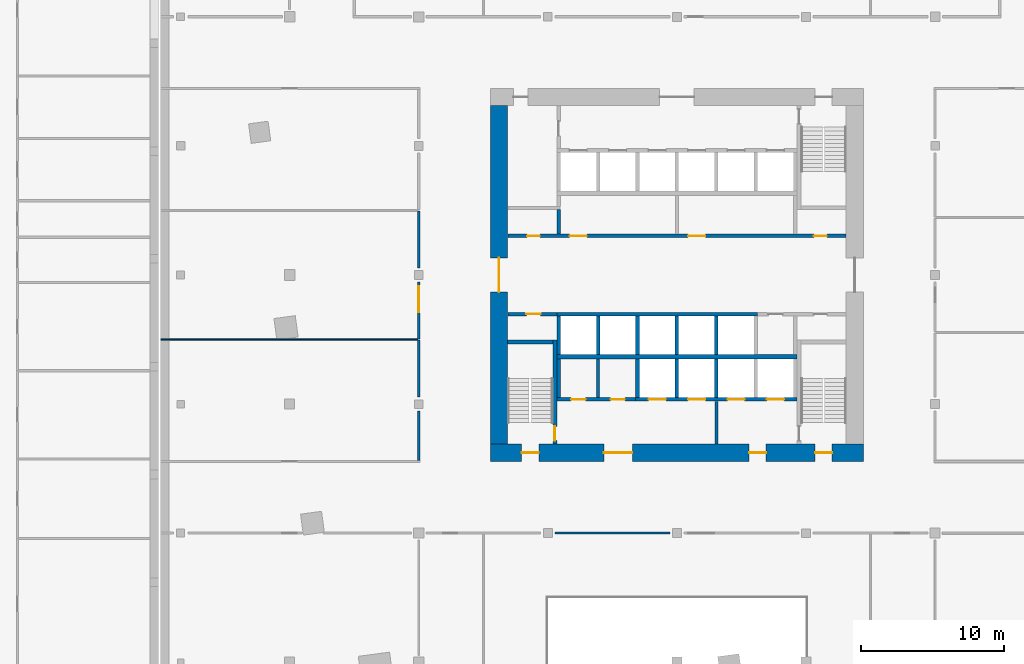
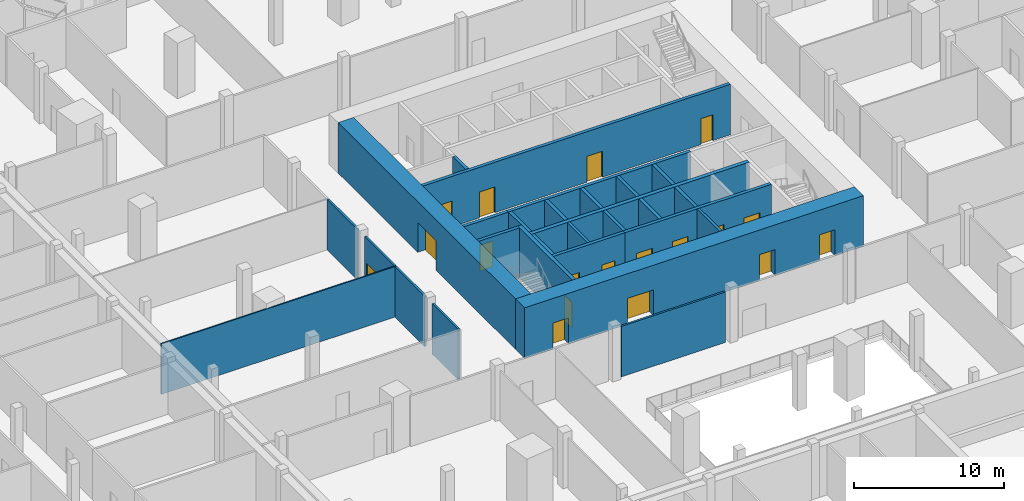
# One storey, part 7 of 20: 28 walls, 18 doors, 18 openings.
"""IFC4 building model written with IfcOpenShell, lengths in metres."""

from ifc_helpers import new_model, si_unit, direction, frame, frame_2d, origin, place, context, subcontext, project, spatial, rectangle, extrude, material, layer, layer_set, type_object, element, fill, save


model = new_model("IFC4")

# Units and contexts
model_context = context("Model", 3, precision=1e-05, world=origin(), true_north=direction((0.0, 1.0)))
body_context = subcontext(model_context, "Body", "Model", "MODEL_VIEW")
ifc_project = project(units=[si_unit("LENGTHUNIT", "METRE"), si_unit("AREAUNIT", "SQUARE_METRE"), si_unit("VOLUMEUNIT", "CUBIC_METRE"), si_unit("PLANEANGLEUNIT", "RADIAN"), si_unit("MASSUNIT", "GRAM", prefix="KILO")], contexts=[model_context])

# Site, building, storey
site_placement = place(None, origin())
site = spatial("IfcSite", under=ifc_project, at=site_placement, CompositionType="ELEMENT")
building_placement = place(site_placement, origin())
building = spatial("IfcBuilding", under=site, at=building_placement, Name="Dilmun Exchange Tower", CompositionType="ELEMENT")
storey_placement = place(building_placement, frame((0.0, 0.0, 9.0)))
storey = spatial("IfcBuildingStorey", under=building, at=storey_placement, Name="L02", CompositionType="ELEMENT", Elevation=9.0)

# Walls
ifc_material_1 = material(Name="Concrete C40/50", Category="concrete")
ifc_layer_1 = layer(ifc_material_1, 0.199951171875)
ifc_layer_set_1 = layer_set([ifc_layer_1], Name="Concrete C40/50")
wall_type_1 = type_object("IfcWallType", Name="Core partition wall 200", PredefinedType="PARTITIONING", material=ifc_layer_set_1)
wall_1_placement = place(storey_placement, frame((2.75, -11.794921875, 0.0), z_axis=(0.0, 0.0, 1.0), x_axis=(0.0, 1.0, 0.0)))
element("IfcWall", 1, at=wall_1_placement, inside=storey, type_object=wall_type_1, Name="L02 core partition wall 01", PredefinedType="PARTITIONING", context=body_context, shape_type="SweptSolid", body=[
    extrude(rectangle(XDim=2.989990234375, YDim=0.199951171875, at=frame_2d((1.4951171875, 0.0))), origin(), (0.0, 0.0, 1.0), 4.10009765625),
])
wall_2_placement = place(storey_placement, frame((-5.5, -8.544921875, 0.0), z_axis=(0.0, 0.0, 1.0), x_axis=(0.0, 1.0, 0.0)))
element("IfcWall", 2, at=wall_2_placement, inside=storey, type_object=wall_type_1, Name="L02 core partition wall 04", PredefinedType="PARTITIONING", context=body_context, shape_type="SweptSolid", body=[
    extrude(rectangle(XDim=2.68994140625, YDim=0.199951171875, at=frame_2d((1.344970703125, 0.0))), origin(), (0.0, 0.0, 1.0), 4.10009765625),
])

# Wall, openings, doors
ifc_layer_2 = layer(ifc_material_1, 0.25)
ifc_layer_set_2 = layer_set([ifc_layer_2], Name="Concrete C40/50")
wall_type_2 = type_object("IfcWallType", Name="Core partition wall 250", PredefinedType="PARTITIONING", material=ifc_layer_set_2)
wall_3_placement = place(storey_placement, frame((-8.3701171875, -8.675048828125, 0.0), z_axis=(0.0, 0.0, 1.0), x_axis=(1.0, 0.0, 0.0)))
wall_3 = element("IfcWall", 3, at=wall_3_placement, inside=storey, type_object=wall_type_2, Name="L02 core partition wall 02", PredefinedType="PARTITIONING", context=body_context, shape_type="SweptSolid", body=[
    extrude(rectangle(XDim=5.490234375, YDim=0.25, at=frame_2d((2.7451171875, 0.0))), origin(), (0.0, 0.0, 1.0), 4.10009765625),
])
opening_1_placement = place(wall_3_placement, frame((0.9951171875, 0.0, 0.0)))
opening_1 = element("IfcOpeningElement", 4, at=opening_1_placement, cuts=wall_3, Name="Opening CD4", PredefinedType="OPENING", context=body_context, shape_type="SweptSolid", body=[
    extrude(rectangle(XDim=1.0, YDim=2.10009765625, at=frame_2d((0.5, 1.050048828125))), frame((0.0, 0.135009765625, 0.0), z_axis=(0.0, -1.0, 0.0), x_axis=(1.0, 0.0, 0.0)), (0.0, 0.0, 1.0), 0.27001953125),
])
opening_2_placement = place(wall_3_placement, frame((3.7451171875, 0.0, 0.0)))
opening_2 = element("IfcOpeningElement", 5, at=opening_2_placement, cuts=wall_3, Name="Opening CD4", PredefinedType="OPENING", context=body_context, shape_type="SweptSolid", body=[
    extrude(rectangle(XDim=1.0, YDim=2.10009765625, at=frame_2d((0.5, 1.050048828125))), frame((0.0, 0.135009765625, 0.0), z_axis=(0.0, -1.0, 0.0), x_axis=(1.0, 0.0, 0.0)), (0.0, 0.0, 1.0), 0.27001953125),
])
ifc_material_2 = material(Name="Fire-rated steel door set", Category="steel")
door_type_1 = type_object("IfcDoorType", Name="Core room door 1000x2100", OperationType="SINGLE_SWING_LEFT", PredefinedType="DOOR", material=ifc_material_2)
door_1_placement = place(opening_1_placement, origin())
door_1 = element("IfcDoor", 6, at=door_1_placement, inside=storey, type_object=door_type_1, Name="L02 door Male WC", OperationType="SINGLE_SWING_LEFT", OverallHeight=2.10009765625, OverallWidth=1.0, PredefinedType="DOOR", context=body_context, shape_type="SweptSolid", body=[
    extrude(rectangle(XDim=1.0, YDim=2.10009765625, at=frame_2d((0.5, 1.050048828125))), frame((0.0, 0.02490234375, 0.0), z_axis=(0.0, -1.0, 0.0), x_axis=(1.0, 0.0, 0.0)), (0.0, 0.0, 1.0), 0.050048828125),
])
fill(opening_1, door_1)
door_2_placement = place(opening_2_placement, origin())
door_2 = element("IfcDoor", 7, at=door_2_placement, inside=storey, type_object=door_type_1, Name="L02 door Female WC", OperationType="SINGLE_SWING_LEFT", OverallHeight=2.10009765625, OverallWidth=1.0, PredefinedType="DOOR", context=body_context, shape_type="SweptSolid", body=[
    extrude(rectangle(XDim=1.0, YDim=2.10009765625, at=frame_2d((0.5, 1.050048828125))), frame((0.0, 0.02490234375, 0.0), z_axis=(0.0, -1.0, 0.0), x_axis=(1.0, 0.0, 0.0)), (0.0, 0.0, 1.0), 0.050048828125),
])
fill(opening_2, door_2)

# Wall
wall_4_placement = place(storey_placement, frame((-8.25, -8.544921875, 0.0), z_axis=(0.0, 0.0, 1.0), x_axis=(0.0, 1.0, 0.0)))
element("IfcWall", 8, at=wall_4_placement, inside=storey, type_object=wall_type_2, Name="L02 core partition wall 03", PredefinedType="PARTITIONING", context=body_context, shape_type="SweptSolid", body=[
    extrude(rectangle(XDim=2.68994140625, YDim=0.25, at=frame_2d((1.344970703125, 0.0))), origin(), (0.0, 0.0, 1.0), 4.10009765625),
])

# Wall, opening, door
wall_5_placement = place(storey_placement, frame((-11.794921875, -2.72509765625, 0.0), z_axis=(0.0, 0.0, 1.0), x_axis=(1.0, 0.0, 0.0)))
wall_5 = element("IfcWall", 9, at=wall_5_placement, inside=storey, type_object=wall_type_2, Name="L02 core partition wall 06", PredefinedType="PARTITIONING", context=body_context, shape_type="SweptSolid", body=[
    extrude(rectangle(XDim=3.4150390625, YDim=0.25, at=frame_2d((1.70751953125, 0.0))), origin(), (0.0, 0.0, 1.0), 4.10009765625),
])
opening_3_placement = place(wall_5_placement, frame((1.294921875, 0.0, 0.0)))
opening_3 = element("IfcOpeningElement", 10, at=opening_3_placement, cuts=wall_5, Name="Opening CD4", PredefinedType="OPENING", context=body_context, shape_type="SweptSolid", body=[
    extrude(rectangle(XDim=1.0, YDim=2.10009765625, at=frame_2d((0.5, 1.050048828125))), frame((0.0, 0.135009765625, 0.0), z_axis=(0.0, -1.0, 0.0), x_axis=(1.0, 0.0, 0.0)), (0.0, 0.0, 1.0), 0.27001953125),
])
door_3_placement = place(opening_3_placement, origin())
door_3 = element("IfcDoor", 11, at=door_3_placement, inside=storey, type_object=door_type_1, Name="L02 door Accessible WC", OperationType="SINGLE_SWING_LEFT", OverallHeight=2.10009765625, OverallWidth=1.0, PredefinedType="DOOR", context=body_context, shape_type="SweptSolid", body=[
    extrude(rectangle(XDim=1.0, YDim=2.10009765625, at=frame_2d((0.5, 1.050048828125))), frame((0.0, 0.02490234375, 0.0), z_axis=(0.0, -1.0, 0.0), x_axis=(1.0, 0.0, 0.0)), (0.0, 0.0, 1.0), 0.050048828125),
])
fill(opening_3, door_3)

# Wall, openings, doors
wall_6_placement = place(storey_placement, frame((-11.794921875, 2.72509765625, 0.0), z_axis=(0.0, 0.0, 1.0), x_axis=(1.0, 0.0, 0.0)))
wall_6 = element("IfcWall", 12, at=wall_6_placement, inside=storey, type_object=wall_type_2, Name="L02 core partition wall 08", PredefinedType="PARTITIONING", context=body_context, shape_type="SweptSolid", body=[
    extrude(rectangle(XDim=23.58984375, YDim=0.25, at=frame_2d((11.794921875, 0.0))), origin(), (0.0, 0.0, 1.0), 4.10009765625),
])
opening_4_placement = place(wall_6_placement, frame((21.344970703125, 0.0, 0.0)))
opening_4 = element("IfcOpeningElement", 13, at=opening_4_placement, cuts=wall_6, Name="Opening CD6", PredefinedType="OPENING", context=body_context, shape_type="SweptSolid", body=[
    extrude(rectangle(XDim=0.89990234375, YDim=2.10009765625, at=frame_2d((0.449951171875, 1.050048828125))), frame((0.0, 0.135009765625, 0.0), z_axis=(0.0, -1.0, 0.0), x_axis=(1.0, 0.0, 0.0)), (0.0, 0.0, 1.0), 0.27001953125),
])
opening_5_placement = place(wall_6_placement, frame((1.344970703125, 0.0, 0.0)))
opening_5 = element("IfcOpeningElement", 14, at=opening_5_placement, cuts=wall_6, Name="Opening CD6", PredefinedType="OPENING", context=body_context, shape_type="SweptSolid", body=[
    extrude(rectangle(XDim=0.89990234375, YDim=2.10009765625, at=frame_2d((0.449951171875, 1.050048828125))), frame((0.0, 0.135009765625, 0.0), z_axis=(0.0, -1.0, 0.0), x_axis=(1.0, 0.0, 0.0)), (0.0, 0.0, 1.0), 0.27001953125),
])
opening_6_placement = place(wall_6_placement, frame((4.320068359375, 0.0, 0.0)))
opening_6 = element("IfcOpeningElement", 15, at=opening_6_placement, cuts=wall_6, Name="Opening CD3", PredefinedType="OPENING", context=body_context, shape_type="SweptSolid", body=[
    extrude(rectangle(XDim=1.199951171875, YDim=2.10009765625, at=frame_2d((0.60009765625, 1.050048828125))), frame((0.0, 0.135009765625, 0.0), z_axis=(0.0, -1.0, 0.0), x_axis=(1.0, 0.0, 0.0)), (0.0, 0.0, 1.0), 0.27001953125),
])
opening_7_placement = place(wall_6_placement, frame((12.570068359375, 0.0, 0.0)))
opening_7 = element("IfcOpeningElement", 16, at=opening_7_placement, cuts=wall_6, Name="Opening CD3", PredefinedType="OPENING", context=body_context, shape_type="SweptSolid", body=[
    extrude(rectangle(XDim=1.199951171875, YDim=2.10009765625, at=frame_2d((0.60009765625, 1.050048828125))), frame((0.0, 0.135009765625, 0.0), z_axis=(0.0, -1.0, 0.0), x_axis=(1.0, 0.0, 0.0)), (0.0, 0.0, 1.0), 0.27001953125),
])
door_type_2 = type_object("IfcDoorType", Name="Core room door 900x2100", OperationType="SINGLE_SWING_LEFT", PredefinedType="DOOR", material=ifc_material_2)
door_4_placement = place(opening_4_placement, origin())
door_4 = element("IfcDoor", 17, at=door_4_placement, inside=storey, type_object=door_type_2, Name="L02 door Electrical riser", OperationType="SINGLE_SWING_LEFT", OverallHeight=2.10009765625, OverallWidth=0.89990234375, PredefinedType="DOOR", context=body_context, shape_type="SweptSolid", body=[
    extrude(rectangle(XDim=0.89990234375, YDim=2.10009765625, at=frame_2d((0.449951171875, 1.050048828125))), frame((0.0, 0.02490234375, 0.0), z_axis=(0.0, -1.0, 0.0), x_axis=(1.0, 0.0, 0.0)), (0.0, 0.0, 1.0), 0.050048828125),
])
fill(opening_4, door_4)
door_5_placement = place(opening_5_placement, origin())
door_5 = element("IfcDoor", 18, at=door_5_placement, inside=storey, type_object=door_type_2, Name="L02 door Plumbing riser", OperationType="SINGLE_SWING_LEFT", OverallHeight=2.10009765625, OverallWidth=0.89990234375, PredefinedType="DOOR", context=body_context, shape_type="SweptSolid", body=[
    extrude(rectangle(XDim=0.89990234375, YDim=2.10009765625, at=frame_2d((0.449951171875, 1.050048828125))), frame((0.0, 0.02490234375, 0.0), z_axis=(0.0, -1.0, 0.0), x_axis=(1.0, 0.0, 0.0)), (0.0, 0.0, 1.0), 0.050048828125),
])
fill(opening_5, door_5)
door_type_3 = type_object("IfcDoorType", Name="Stair exit door 1200x2100", OperationType="SINGLE_SWING_LEFT", PredefinedType="DOOR", material=ifc_material_2)
door_6_placement = place(opening_6_placement, origin())
door_6 = element("IfcDoor", 19, at=door_6_placement, inside=storey, type_object=door_type_3, Name="L02 door Quiet working room", OperationType="SINGLE_SWING_LEFT", OverallHeight=2.10009765625, OverallWidth=1.199951171875, PredefinedType="DOOR", context=body_context, shape_type="SweptSolid", body=[
    extrude(rectangle(XDim=1.199951171875, YDim=2.10009765625, at=frame_2d((0.60009765625, 1.050048828125))), frame((0.0, 0.02490234375, 0.0), z_axis=(0.0, -1.0, 0.0), x_axis=(1.0, 0.0, 0.0)), (0.0, 0.0, 1.0), 0.050048828125),
])
fill(opening_6, door_6)
door_7_placement = place(opening_7_placement, origin())
door_7 = element("IfcDoor", 20, at=door_7_placement, inside=storey, type_object=door_type_3, Name="L02 door Building management office", OperationType="SINGLE_SWING_LEFT", OverallHeight=2.10009765625, OverallWidth=1.199951171875, PredefinedType="DOOR", context=body_context, shape_type="SweptSolid", body=[
    extrude(rectangle(XDim=1.199951171875, YDim=2.10009765625, at=frame_2d((0.60009765625, 1.050048828125))), frame((0.0, 0.02490234375, 0.0), z_axis=(0.0, -1.0, 0.0), x_axis=(1.0, 0.0, 0.0)), (0.0, 0.0, 1.0), 0.050048828125),
])
fill(opening_7, door_7)

# Wall
wall_7_placement = place(storey_placement, frame((-8.25, 2.85498046875, 0.0), z_axis=(0.0, 0.0, 1.0), x_axis=(0.0, 1.0, 0.0)))
element("IfcWall", 21, at=wall_7_placement, inside=storey, type_object=wall_type_2, Name="L02 core partition wall 09", PredefinedType="PARTITIONING", context=body_context, shape_type="SweptSolid", body=[
    extrude(rectangle(XDim=1.715087890625, YDim=0.25, at=frame_2d((0.857421875, 0.0))), origin(), (0.0, 0.0, 1.0), 4.10009765625),
])

# Wall, openings, doors
ifc_material_3 = material(Name="Concrete C80/95", Category="concrete")
ifc_layer_3 = layer(ifc_material_3, 1.199951171875)
ifc_layer_set_3 = layer_set([ifc_layer_3], Name="Concrete C80/95")
wall_type_3 = type_object("IfcWallType", Name="Core shear wall 1200 Concrete C80/95", PredefinedType="SHEAR", material=ifc_layer_set_3)
wall_8_placement = place(storey_placement, frame((-13.0, -12.39990234375, 0.0), z_axis=(0.0, 0.0, 1.0), x_axis=(1.0, 0.0, 0.0)))
wall_8 = element("IfcWall", 22, at=wall_8_placement, inside=storey, type_object=wall_type_3, Name="L02 core shear wall S", PredefinedType="SHEAR", context=body_context, shape_type="SweptSolid", body=[
    extrude(rectangle(XDim=26.0, YDim=1.199951171875, at=frame_2d((13.0, 0.0))), origin(), (0.0, 0.0, 1.0), 4.10009765625),
])
opening_8_placement = place(wall_8_placement, frame((7.89990234375, 0.0, 0.0)))
opening_8 = element("IfcOpeningElement", 23, at=opening_8_placement, cuts=wall_8, Name="Opening CD2", PredefinedType="OPENING", context=body_context, shape_type="SweptSolid", body=[
    extrude(rectangle(XDim=2.0, YDim=2.10009765625, at=frame_2d((1.0, 1.050048828125))), frame((0.0, 0.60986328125, 0.0), z_axis=(0.0, -1.0, 0.0), x_axis=(1.0, 0.0, 0.0)), (0.0, 0.0, 1.0), 1.219970703125),
])
opening_9_placement = place(wall_8_placement, frame((18.02490234375, 0.0, 0.0)))
opening_9 = element("IfcOpeningElement", 24, at=opening_9_placement, cuts=wall_8, Name="Opening CD3", PredefinedType="OPENING", context=body_context, shape_type="SweptSolid", body=[
    extrude(rectangle(XDim=1.199951171875, YDim=2.10009765625, at=frame_2d((0.60009765625, 1.050048828125))), frame((0.0, 0.60986328125, 0.0), z_axis=(0.0, -1.0, 0.0), x_axis=(1.0, 0.0, 0.0)), (0.0, 0.0, 1.0), 1.219970703125),
])
opening_10_placement = place(wall_8_placement, frame((2.175048828125, 0.0, 0.0)))
opening_10 = element("IfcOpeningElement", 25, at=opening_10_placement, cuts=wall_8, Name="Opening CD3", PredefinedType="OPENING", context=body_context, shape_type="SweptSolid", body=[
    extrude(rectangle(XDim=1.199951171875, YDim=2.10009765625, at=frame_2d((0.60009765625, 1.050048828125))), frame((0.0, 0.60986328125, 0.0), z_axis=(0.0, -1.0, 0.0), x_axis=(1.0, 0.0, 0.0)), (0.0, 0.0, 1.0), 1.219970703125),
])
opening_11_placement = place(wall_8_placement, frame((22.625, 0.0, 0.0)))
opening_11 = element("IfcOpeningElement", 26, at=opening_11_placement, cuts=wall_8, Name="Opening CD3", PredefinedType="OPENING", context=body_context, shape_type="SweptSolid", body=[
    extrude(rectangle(XDim=1.199951171875, YDim=2.10009765625, at=frame_2d((0.60009765625, 1.050048828125))), frame((0.0, 0.60986328125, 0.0), z_axis=(0.0, -1.0, 0.0), x_axis=(1.0, 0.0, 0.0)), (0.0, 0.0, 1.0), 1.219970703125),
])
door_type_4 = type_object("IfcDoorType", Name="Core service door 2000x2100", OperationType="DOUBLE_DOOR_DOUBLE_SWING", PredefinedType="DOOR", material=ifc_material_2)
door_8_placement = place(opening_8_placement, origin())
door_8 = element("IfcDoor", 27, at=door_8_placement, inside=storey, type_object=door_type_4, Name="L02 door South service lobby", OperationType="SINGLE_SWING_LEFT", OverallHeight=2.10009765625, OverallWidth=2.0, PredefinedType="DOOR", context=body_context, shape_type="SweptSolid", body=[
    extrude(rectangle(XDim=2.0, YDim=2.10009765625, at=frame_2d((1.0, 1.050048828125))), frame((0.0, 0.02490234375, 0.0), z_axis=(0.0, -1.0, 0.0), x_axis=(1.0, 0.0, 0.0)), (0.0, 0.0, 1.0), 0.050048828125),
])
fill(opening_8, door_8)
door_9_placement = place(opening_9_placement, origin())
door_9 = element("IfcDoor", 28, at=door_9_placement, inside=storey, type_object=door_type_3, Name="L02 door Fire-fighting lobby", OperationType="SINGLE_SWING_LEFT", OverallHeight=2.10009765625, OverallWidth=1.199951171875, PredefinedType="DOOR", context=body_context, shape_type="SweptSolid", body=[
    extrude(rectangle(XDim=1.199951171875, YDim=2.10009765625, at=frame_2d((0.60009765625, 1.050048828125))), frame((0.0, 0.02490234375, 0.0), z_axis=(0.0, -1.0, 0.0), x_axis=(1.0, 0.0, 0.0)), (0.0, 0.0, 1.0), 0.050048828125),
])
fill(opening_9, door_9)
door_10_placement = place(opening_10_placement, origin())
door_10 = element("IfcDoor", 29, at=door_10_placement, inside=storey, type_object=door_type_3, Name="L02 door Stair ST2", OperationType="SINGLE_SWING_LEFT", OverallHeight=2.10009765625, OverallWidth=1.199951171875, PredefinedType="DOOR", context=body_context, shape_type="SweptSolid", body=[
    extrude(rectangle(XDim=1.199951171875, YDim=2.10009765625, at=frame_2d((0.60009765625, 1.050048828125))), frame((0.0, 0.02490234375, 0.0), z_axis=(0.0, -1.0, 0.0), x_axis=(1.0, 0.0, 0.0)), (0.0, 0.0, 1.0), 0.050048828125),
])
fill(opening_10, door_10)
door_11_placement = place(opening_11_placement, origin())
door_11 = element("IfcDoor", 30, at=door_11_placement, inside=storey, type_object=door_type_3, Name="L02 door Stair ST3", OperationType="SINGLE_SWING_LEFT", OverallHeight=2.10009765625, OverallWidth=1.199951171875, PredefinedType="DOOR", context=body_context, shape_type="SweptSolid", body=[
    extrude(rectangle(XDim=1.199951171875, YDim=2.10009765625, at=frame_2d((0.60009765625, 1.050048828125))), frame((0.0, 0.02490234375, 0.0), z_axis=(0.0, -1.0, 0.0), x_axis=(1.0, 0.0, 0.0)), (0.0, 0.0, 1.0), 0.050048828125),
])
fill(opening_11, door_11)

# Wall, opening, door
wall_9_placement = place(storey_placement, frame((-12.39990234375, -11.800048828125, 0.0), z_axis=(0.0, 0.0, 1.0), x_axis=(0.0, 1.0, 0.0)))
wall_9 = element("IfcWall", 31, at=wall_9_placement, inside=storey, type_object=wall_type_3, Name="L02 core shear wall W", PredefinedType="SHEAR", context=body_context, shape_type="SweptSolid", body=[
    extrude(rectangle(XDim=23.60009765625, YDim=1.199951171875, at=frame_2d((11.800048828125, 0.0))), origin(), (0.0, 0.0, 1.0), 4.10009765625),
])
opening_12_placement = place(wall_9_placement, frame((10.60009765625, 0.0, 0.0)))
opening_12 = element("IfcOpeningElement", 32, at=opening_12_placement, cuts=wall_9, Name="Opening CD1", PredefinedType="OPENING", context=body_context, shape_type="SweptSolid", body=[
    extrude(rectangle(XDim=2.39990234375, YDim=2.39990234375, at=frame_2d((1.199951171875, 1.199951171875))), frame((0.0, 0.60986328125, 0.0), z_axis=(0.0, -1.0, 0.0), x_axis=(1.0, 0.0, 0.0)), (0.0, 0.0, 1.0), 1.219970703125),
])
door_type_5 = type_object("IfcDoorType", Name="Core lobby door 2400x2400", OperationType="DOUBLE_DOOR_DOUBLE_SWING", PredefinedType="DOOR", material=ifc_material_2)
door_12_placement = place(opening_12_placement, origin())
door_12 = element("IfcDoor", 33, at=door_12_placement, inside=storey, type_object=door_type_5, Name="L02 door Central lift lobby", OperationType="SINGLE_SWING_LEFT", OverallHeight=2.39990234375, OverallWidth=2.39990234375, PredefinedType="DOOR", context=body_context, shape_type="SweptSolid", body=[
    extrude(rectangle(XDim=2.39990234375, YDim=2.39990234375, at=frame_2d((1.199951171875, 1.199951171875))), frame((0.0, 0.02490234375, 0.0), z_axis=(0.0, -1.0, 0.0), x_axis=(1.0, 0.0, 0.0)), (0.0, 0.0, 1.0), 0.050048828125),
])
fill(opening_12, door_12)

# Walls
ifc_material_4 = material(Name="Fire partition EI 60 150 gypsum")
ifc_layer_4 = layer(ifc_material_4, 0.14990234375)
ifc_layer_set_4 = layer_set([ifc_layer_4], Name="Fire partition EI 60 150 gypsum")
wall_type_4 = type_object("IfcWallType", Name="Fire partition EI 60 150 gypsum", PredefinedType="PARTITIONING", material=ifc_layer_set_4)
wall_10_placement = place(storey_placement, frame((-8.5, -18.0, 0.0), z_axis=(0.0, 0.0, 1.0), x_axis=(1.0, 0.0, 0.0)))
element("IfcWall", 34, at=wall_10_placement, inside=storey, type_object=wall_type_4, Name="L02 partition", PredefinedType="PARTITIONING", context=body_context, shape_type="SweptSolid", body=[
    extrude(rectangle(XDim=8.0, YDim=0.14990234375, at=frame_2d((4.0, 0.0))), origin(), (0.0, 0.0, 1.0), 4.10009765625),
])
wall_11_placement = place(storey_placement, frame((-18.0, -12.925048828125, 0.0), z_axis=(0.0, 0.0, 1.0), x_axis=(0.0, 1.0, 0.0)))
element("IfcWall", 35, at=wall_11_placement, inside=storey, type_object=wall_type_4, Name="L02 partition", PredefinedType="PARTITIONING", context=body_context, shape_type="SweptSolid", body=[
    extrude(rectangle(XDim=3.425048828125, YDim=0.14990234375, at=frame_2d((1.71240234375, 0.0))), origin(), (0.0, 0.0, 1.0), 4.10009765625),
])
wall_12_placement = place(storey_placement, frame((-18.0, -8.5, 0.0), z_axis=(0.0, 0.0, 1.0), x_axis=(0.0, 1.0, 0.0)))
element("IfcWall", 36, at=wall_12_placement, inside=storey, type_object=wall_type_4, Name="L02 partition", PredefinedType="PARTITIONING", context=body_context, shape_type="SweptSolid", body=[
    extrude(rectangle(XDim=3.949951171875, YDim=0.14990234375, at=frame_2d((1.97509765625, 0.0))), origin(), (0.0, 0.0, 1.0), 4.10009765625),
])

# Wall, opening, door
wall_13_placement = place(storey_placement, frame((-18.0, -4.449951171875, 0.0), z_axis=(0.0, 0.0, 1.0), x_axis=(0.0, 1.0, 0.0)))
wall_13 = element("IfcWall", 37, at=wall_13_placement, inside=storey, type_object=wall_type_4, Name="L02 partition", PredefinedType="PARTITIONING", context=body_context, shape_type="SweptSolid", body=[
    extrude(rectangle(XDim=3.949951171875, YDim=0.14990234375, at=frame_2d((1.97509765625, 0.0))), origin(), (0.0, 0.0, 1.0), 4.10009765625),
])
opening_13_placement = place(wall_13_placement, frame((1.85009765625, 0.0, 0.0)))
opening_13 = element("IfcOpeningElement", 38, at=opening_13_placement, cuts=wall_13, Name="Opening L02-D018", PredefinedType="OPENING", context=body_context, shape_type="SweptSolid", body=[
    extrude(rectangle(XDim=1.800048828125, YDim=2.10009765625, at=frame_2d((0.89990234375, 1.050048828125))), frame((0.0, 0.0849609375, 0.0), z_axis=(0.0, -1.0, 0.0), x_axis=(1.0, 0.0, 0.0)), (0.0, 0.0, 1.0), 0.169921875),
])
ifc_material_5 = material(Name="Fire door FD60 double 1800 x 2100")
door_type_6 = type_object("IfcDoorType", Name="Fire door FD60 double 1800 x 2100", OperationType="DOUBLE_DOOR_SINGLE_SWING", PredefinedType="DOOR", material=ifc_material_5)
door_13_placement = place(opening_13_placement, origin())
door_13 = element("IfcDoor", 39, at=door_13_placement, inside=storey, type_object=door_type_6, Name="L02 door L02-D018", OperationType="DOUBLE_DOOR_SINGLE_SWING", OverallHeight=2.10009765625, OverallWidth=1.800048828125, PredefinedType="DOOR", context=body_context, shape_type="SweptSolid", body=[
    extrude(rectangle(XDim=1.800048828125, YDim=2.10009765625, at=frame_2d((0.89990234375, 1.050048828125))), frame((0.0, 0.02490234375, 0.0), z_axis=(0.0, -1.0, 0.0), x_axis=(1.0, 0.0, 0.0)), (0.0, 0.0, 1.0), 0.050048828125),
])
fill(opening_13, door_13)

# Walls
wall_14_placement = place(storey_placement, frame((-18.0, 0.5, 0.0), z_axis=(0.0, 0.0, 1.0), x_axis=(0.0, 1.0, 0.0)))
element("IfcWall", 40, at=wall_14_placement, inside=storey, type_object=wall_type_4, Name="L02 partition", PredefinedType="PARTITIONING", context=body_context, shape_type="SweptSolid", body=[
    extrude(rectangle(XDim=3.949951171875, YDim=0.14990234375, at=frame_2d((1.97509765625, 0.0))), origin(), (0.0, 0.0, 1.0), 4.10009765625),
])
ifc_layer_5 = layer(ifc_material_1, 0.300048828125)
ifc_layer_set_5 = layer_set([ifc_layer_5], Name="Concrete C40/50")
wall_type_5 = type_object("IfcWallType", Name="Lift shaft shared wall 300", PredefinedType="SOLIDWALL", material=ifc_layer_set_5)
wall_15_placement = place(storey_placement, frame((-8.375, -5.699951171875, 0.0), z_axis=(0.0, 0.0, 1.0), x_axis=(1.0, 0.0, 0.0)))
element("IfcWall", 41, at=wall_15_placement, inside=storey, type_object=wall_type_5, Name="L02 lift shaft rear wall S", PredefinedType="SOLIDWALL", context=body_context, shape_type="SweptSolid", body=[
    extrude(rectangle(XDim=16.75, YDim=0.300048828125, at=frame_2d((8.375, 0.0))), origin(), (0.0, 0.0, 1.0), 4.10009765625),
])
ifc_layer_6 = layer(ifc_material_1, 0.25)
ifc_layer_set_6 = layer_set([ifc_layer_6], Name="Concrete C40/50")
wall_type_6 = type_object("IfcWallType", Name="Lift shaft wall 250", PredefinedType="SOLIDWALL", material=ifc_layer_set_6)
wall_16_placement = place(storey_placement, frame((-8.375, -2.72509765625, 0.0), z_axis=(0.0, 0.0, 1.0), x_axis=(1.0, 0.0, 0.0)))
element("IfcWall", 42, at=wall_16_placement, inside=storey, type_object=wall_type_6, Name="L02 lift shaft front wall S1", PredefinedType="SOLIDWALL", context=body_context, shape_type="SweptSolid", body=[
    extrude(rectangle(XDim=14.0, YDim=0.25, at=frame_2d((7.0, 0.0))), origin(), (0.0, 0.0, 1.0), 4.10009765625),
])
for number, where, z_axis, x_axis, name in (
    (43, (-8.25, -5.550048828125, 0.0), (0.0, 0.0, 1.0), (0.0, 1.0, 0.0), "L02 lift shaft divider S10"),
    (44, (-5.5, -5.550048828125, 0.0), (0.0, 0.0, 1.0), (0.0, 1.0, 0.0), "L02 lift shaft divider S11"),
    (45, (-2.75, -5.550048828125, 0.0), (0.0, 0.0, 1.0), (0.0, 1.0, 0.0), "L02 lift shaft divider S12"),
    (46, (0.0, -5.550048828125, 0.0), (0.0, 0.0, 1.0), (0.0, 1.0, 0.0), "L02 lift shaft divider S13"),
    (47, (2.75, -5.550048828125, 0.0), (0.0, 0.0, 1.0), (0.0, 1.0, 0.0), "L02 lift shaft divider S14"),
):
    element("IfcWall", number, at=place(storey_placement, frame(where, z_axis=z_axis, x_axis=x_axis)), inside=storey, type_object=wall_type_6, Name=name, PredefinedType="SOLIDWALL", context=body_context, shape_type="SweptSolid", body=[
        extrude(rectangle(XDim=2.699951171875, YDim=0.25, at=frame_2d((1.35009765625, 0.0))), origin(), (0.0, 0.0, 1.0), 4.10009765625),
    ])

# Wall, openings, doors
wall_17_placement = place(storey_placement, frame((-2.875, -8.675048828125, 0.0), z_axis=(0.0, 0.0, 1.0), x_axis=(1.0, 0.0, 0.0)))
wall_17 = element("IfcWall", 48, at=wall_17_placement, inside=storey, type_object=wall_type_6, Name="L02 lift shaft front wall S2", PredefinedType="SOLIDWALL", context=body_context, shape_type="SweptSolid", body=[
    extrude(rectangle(XDim=11.25, YDim=0.25, at=frame_2d((5.625, 0.0))), origin(), (0.0, 0.0, 1.0), 4.10009765625),
])
opening_14_placement = place(wall_17_placement, frame((0.89990234375, 0.0, 0.0)))
opening_14 = element("IfcOpeningElement", 49, at=opening_14_placement, cuts=wall_17, Name="Opening LD", PredefinedType="OPENING", context=body_context, shape_type="SweptSolid", body=[
    extrude(rectangle(XDim=1.199951171875, YDim=2.10009765625, at=frame_2d((0.60009765625, 1.050048828125))), frame((0.0, 0.135009765625, 0.0), z_axis=(0.0, -1.0, 0.0), x_axis=(1.0, 0.0, 0.0)), (0.0, 0.0, 1.0), 0.27001953125),
])
opening_15_placement = place(wall_17_placement, frame((3.64990234375, 0.0, 0.0)))
opening_15 = element("IfcOpeningElement", 50, at=opening_15_placement, cuts=wall_17, Name="Opening LD", PredefinedType="OPENING", context=body_context, shape_type="SweptSolid", body=[
    extrude(rectangle(XDim=1.199951171875, YDim=2.10009765625, at=frame_2d((0.60009765625, 1.050048828125))), frame((0.0, 0.135009765625, 0.0), z_axis=(0.0, -1.0, 0.0), x_axis=(1.0, 0.0, 0.0)), (0.0, 0.0, 1.0), 0.27001953125),
])
opening_16_placement = place(wall_17_placement, frame((6.39990234375, 0.0, 0.0)))
opening_16 = element("IfcOpeningElement", 51, at=opening_16_placement, cuts=wall_17, Name="Opening LD", PredefinedType="OPENING", context=body_context, shape_type="SweptSolid", body=[
    extrude(rectangle(XDim=1.199951171875, YDim=2.10009765625, at=frame_2d((0.60009765625, 1.050048828125))), frame((0.0, 0.135009765625, 0.0), z_axis=(0.0, -1.0, 0.0), x_axis=(1.0, 0.0, 0.0)), (0.0, 0.0, 1.0), 0.27001953125),
])
opening_17_placement = place(wall_17_placement, frame((9.14990234375, 0.0, 0.0)))
opening_17 = element("IfcOpeningElement", 52, at=opening_17_placement, cuts=wall_17, Name="Opening LD", PredefinedType="OPENING", context=body_context, shape_type="SweptSolid", body=[
    extrude(rectangle(XDim=1.199951171875, YDim=2.10009765625, at=frame_2d((0.60009765625, 1.050048828125))), frame((0.0, 0.135009765625, 0.0), z_axis=(0.0, -1.0, 0.0), x_axis=(1.0, 0.0, 0.0)), (0.0, 0.0, 1.0), 0.27001953125),
])
door_type_7 = type_object("IfcDoorType", Name="Lift landing door 1200x2100", OperationType="DOUBLE_DOOR_SLIDING", PredefinedType="DOOR", material=ifc_material_2)
door_14_placement = place(opening_14_placement, origin())
door_14 = element("IfcDoor", 53, at=door_14_placement, inside=storey, type_object=door_type_7, Name="L02 landing door SV1", OperationType="DOUBLE_DOOR_SLIDING", OverallHeight=2.10009765625, OverallWidth=1.199951171875, PredefinedType="DOOR", context=body_context, shape_type="SweptSolid", body=[
    extrude(rectangle(XDim=1.199951171875, YDim=2.10009765625, at=frame_2d((0.60009765625, 1.050048828125))), frame((0.0, 0.02490234375, 0.0), z_axis=(0.0, -1.0, 0.0), x_axis=(1.0, 0.0, 0.0)), (0.0, 0.0, 1.0), 0.050048828125),
])
fill(opening_14, door_14)
door_15_placement = place(opening_15_placement, origin())
door_15 = element("IfcDoor", 54, at=door_15_placement, inside=storey, type_object=door_type_7, Name="L02 landing door SV2", OperationType="DOUBLE_DOOR_SLIDING", OverallHeight=2.10009765625, OverallWidth=1.199951171875, PredefinedType="DOOR", context=body_context, shape_type="SweptSolid", body=[
    extrude(rectangle(XDim=1.199951171875, YDim=2.10009765625, at=frame_2d((0.60009765625, 1.050048828125))), frame((0.0, 0.02490234375, 0.0), z_axis=(0.0, -1.0, 0.0), x_axis=(1.0, 0.0, 0.0)), (0.0, 0.0, 1.0), 0.050048828125),
])
fill(opening_15, door_15)
door_16_placement = place(opening_16_placement, origin())
door_16 = element("IfcDoor", 55, at=door_16_placement, inside=storey, type_object=door_type_7, Name="L02 landing door FF1", OperationType="DOUBLE_DOOR_SLIDING", OverallHeight=2.10009765625, OverallWidth=1.199951171875, PredefinedType="DOOR", context=body_context, shape_type="SweptSolid", body=[
    extrude(rectangle(XDim=1.199951171875, YDim=2.10009765625, at=frame_2d((0.60009765625, 1.050048828125))), frame((0.0, 0.02490234375, 0.0), z_axis=(0.0, -1.0, 0.0), x_axis=(1.0, 0.0, 0.0)), (0.0, 0.0, 1.0), 0.050048828125),
])
fill(opening_16, door_16)
door_17_placement = place(opening_17_placement, origin())
door_17 = element("IfcDoor", 56, at=door_17_placement, inside=storey, type_object=door_type_7, Name="L02 landing door FF2", OperationType="DOUBLE_DOOR_SLIDING", OverallHeight=2.10009765625, OverallWidth=1.199951171875, PredefinedType="DOOR", context=body_context, shape_type="SweptSolid", body=[
    extrude(rectangle(XDim=1.199951171875, YDim=2.10009765625, at=frame_2d((0.60009765625, 1.050048828125))), frame((0.0, 0.02490234375, 0.0), z_axis=(0.0, -1.0, 0.0), x_axis=(1.0, 0.0, 0.0)), (0.0, 0.0, 1.0), 0.050048828125),
])
fill(opening_17, door_17)

# Walls
for number, where, z_axis, x_axis, name in (
    (57, (-2.75, -8.550048828125, 0.0), (0.0, 0.0, 1.0), (0.0, 1.0, 0.0), "L02 lift shaft divider S22"),
    (58, (0.0, -8.550048828125, 0.0), (0.0, 0.0, 1.0), (0.0, 1.0, 0.0), "L02 lift shaft divider S23"),
    (59, (2.75, -8.550048828125, 0.0), (0.0, 0.0, 1.0), (0.0, 1.0, 0.0), "L02 lift shaft divider S24"),
):
    element("IfcWall", number, at=place(storey_placement, frame(where, z_axis=z_axis, x_axis=x_axis)), inside=storey, type_object=wall_type_6, Name=name, PredefinedType="SOLIDWALL", context=body_context, shape_type="SweptSolid", body=[
        extrude(rectangle(XDim=2.699951171875, YDim=0.25, at=frame_2d((1.35009765625, 0.0))), origin(), (0.0, 0.0, 1.0), 4.10009765625),
    ])
ifc_material_6 = material(Name="Partition 100 gypsum")
ifc_layer_7 = layer(ifc_material_6, 0.10009765625)
ifc_layer_set_7 = layer_set([ifc_layer_7], Name="Partition 100 gypsum")
wall_type_7 = type_object("IfcWallType", Name="Partition 100 gypsum", PredefinedType="PARTITIONING", material=ifc_layer_set_7)
wall_18_placement = place(storey_placement, frame((-36.0, -4.5, 0.0), z_axis=(0.0, 0.0, 1.0), x_axis=(1.0, 0.0, 0.0)))
element("IfcWall", 60, at=wall_18_placement, inside=storey, type_object=wall_type_7, Name="L02 partition", PredefinedType="PARTITIONING", context=body_context, shape_type="SweptSolid", body=[
    extrude(rectangle(XDim=17.925048828125, YDim=0.10009765625, at=frame_2d((8.96240234375, 0.0))), origin(), (0.0, 0.0, 1.0), 4.10009765625),
])
ifc_layer_8 = layer(ifc_material_1, 0.25)
ifc_layer_set_8 = layer_set([ifc_layer_8], Name="Concrete C40/50")
wall_type_8 = type_object("IfcWallType", Name="Stair end wall 250", PredefinedType="SOLIDWALL", material=ifc_layer_set_8)
wall_19_placement = place(storey_placement, frame((-8.64990234375, -4.675048828125, 0.0), z_axis=(0.0, 0.0, 1.0), x_axis=(-1.0, 0.0, 0.0)))
element("IfcWall", 61, at=wall_19_placement, inside=storey, type_object=wall_type_8, Name="L02 ST2 far wall", PredefinedType="SOLIDWALL", context=body_context, shape_type="SweptSolid", body=[
    extrude(rectangle(XDim=3.150146484375, YDim=0.25, at=frame_2d((1.5751953125, 0.0))), origin(), (0.0, 0.0, 1.0), 4.10009765625),
])

# Wall, opening, door
ifc_layer_9 = layer(ifc_material_1, 0.27490234375)
ifc_layer_set_9 = layer_set([ifc_layer_9], Name="Concrete C40/50")
wall_type_9 = type_object("IfcWallType", Name="Stair wall 275", PredefinedType="SOLIDWALL", material=ifc_layer_set_9)
wall_20_placement = place(storey_placement, frame((-8.512451171875, -4.550048828125, 0.0), z_axis=(0.0, 0.0, 1.0), x_axis=(0.0, -1.0, 0.0)))
wall_20 = element("IfcWall", 62, at=wall_20_placement, inside=storey, type_object=wall_type_9, Name="L02 ST2 wall to lift block", PredefinedType="SOLIDWALL", context=body_context, shape_type="SweptSolid", body=[
    extrude(rectangle(XDim=7.25, YDim=0.27490234375, at=frame_2d((3.625, 0.0))), origin(), (0.0, 0.0, 1.0), 4.10009765625),
])
opening_18_placement = place(wall_20_placement, frame((6.0, 0.0, 0.0)))
opening_18 = element("IfcOpeningElement", 63, at=opening_18_placement, cuts=wall_20, Name="Opening CD4", PredefinedType="OPENING", context=body_context, shape_type="SweptSolid", body=[
    extrude(rectangle(XDim=1.0, YDim=2.10009765625, at=frame_2d((0.5, 1.050048828125))), frame((0.0, 0.1474609375, 0.0), z_axis=(0.0, -1.0, 0.0), x_axis=(1.0, 0.0, 0.0)), (0.0, 0.0, 1.0), 0.294921875),
])
door_18_placement = place(opening_18_placement, origin())
door_18 = element("IfcDoor", 64, at=door_18_placement, inside=storey, type_object=door_type_1, Name="L02 door ST2 from lobby", OperationType="SINGLE_SWING_LEFT", OverallHeight=2.10009765625, OverallWidth=1.0, PredefinedType="DOOR", context=body_context, shape_type="SweptSolid", body=[
    extrude(rectangle(XDim=1.0, YDim=2.10009765625, at=frame_2d((0.5, 1.050048828125))), frame((0.0, 0.02490234375, 0.0), z_axis=(0.0, -1.0, 0.0), x_axis=(1.0, 0.0, 0.0)), (0.0, 0.0, 1.0), 0.050048828125),
])
fill(opening_18, door_18)

save(model, "model.ifc")
